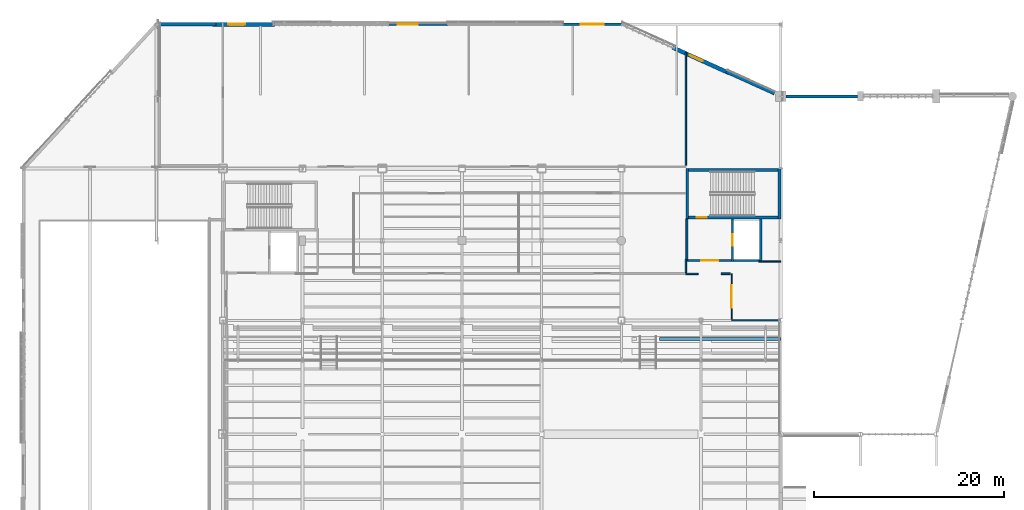
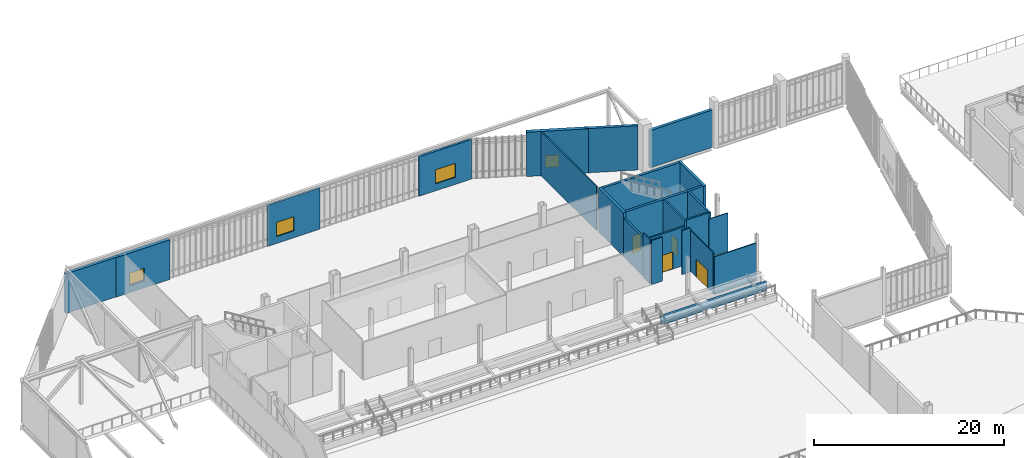
# One storey, part 112 of 135: 24 walls, 4 doors, 4 windows, 8 openings.
"""IFC4 building model written with IfcOpenShell, lengths in metres."""

from ifc_helpers import new_model, si_unit, direction, frame, frame_2d, origin, place, context, subcontext, project, spatial, rectangle, extrude, material, layer, layer_set, type_object, element, fill, save


model = new_model("IFC4")

# Units and contexts
model_context = context("Model", 3, precision=1e-05, world=origin(), true_north=direction((0.0, 1.0)))
body_context = subcontext(model_context, "Body", "Model", "MODEL_VIEW")
ifc_project = project(units=[si_unit("LENGTHUNIT", "METRE"), si_unit("AREAUNIT", "SQUARE_METRE"), si_unit("VOLUMEUNIT", "CUBIC_METRE"), si_unit("PLANEANGLEUNIT", "RADIAN"), si_unit("MASSUNIT", "GRAM", prefix="KILO")], contexts=[model_context])

# Site, building, storey
site_placement = place(None, origin())
site = spatial("IfcSite", under=ifc_project, at=site_placement, CompositionType="ELEMENT")
building_placement = place(site_placement, origin())
building = spatial("IfcBuilding", under=site, at=building_placement, Name="Larkvane Passage Sports Hall", CompositionType="ELEMENT")
storey_placement = place(building_placement, frame((0.0, 0.0, 10.800048828125)))
storey = spatial("IfcBuildingStorey", under=building, at=storey_placement, Name="L02", CompositionType="ELEMENT", Elevation=10.800048828125)

# Walls
ifc_material_1 = material(Name="Concrete C50/60", Category="concrete")
ifc_layer_1 = layer(ifc_material_1, 0.360107421875)
ifc_layer_set_1 = layer_set([ifc_layer_1], Name="Concrete C50/60")
wall_type_1 = type_object("IfcWallType", Name="WL-CORE-360", PredefinedType="SHEAR", material=ifc_layer_set_1)
for number, where, z_axis, x_axis, name in (
    (1, (83.75, 86.300048828125, 0.0), (0.0, 0.0, 1.0), (0.0, 1.0, 0.0), "Core shear wall WAL-CORE-C3-L02-W"),
    (2, (93.449951171875, 91.60009765625, 0.0), (0.0, 0.0, 1.0), (0.0, -1.0, 0.0), "Core shear wall WAL-CORE-C3-L02-E"),
):
    element("IfcWall", number, at=place(storey_placement, frame(where, z_axis=z_axis, x_axis=x_axis)), inside=storey, type_object=wall_type_1, Name=name, PredefinedType="SHEAR", context=body_context, shape_type="SweptSolid", body=[
        extrude(rectangle(XDim=5.300048828125, YDim=0.300048828125, at=frame_2d((2.64990234375, 0.0))), origin(), (0.0, 0.0, 1.0), 5.679931640625),
    ])

# Wall, opening, door
wall_1_placement = place(storey_placement, frame((93.300048828125, 86.449951171875, 0.0), z_axis=(0.0, 0.0, 1.0), x_axis=(-1.0, 0.0, 0.0)))
wall_1 = element("IfcWall", 3, at=wall_1_placement, inside=storey, type_object=wall_type_1, Name="Core shear wall WAL-CORE-C3-L02-S", PredefinedType="SHEAR", context=body_context, shape_type="SweptSolid", body=[
    extrude(rectangle(XDim=9.400146484375, YDim=0.300048828125, at=frame_2d((4.7001953125, 0.0))), origin(), (0.0, 0.0, 1.0), 5.679931640625),
])
opening_1_placement = place(wall_1_placement, frame((7.5, 0.0, 0.0)))
opening_1 = element("IfcOpeningElement", 4, at=opening_1_placement, cuts=wall_1, Name="Opening DF-01", PredefinedType="OPENING", context=body_context, shape_type="SweptSolid", body=[
    extrude(rectangle(XDim=1.050048828125, YDim=2.199951171875, at=frame_2d((0.52490234375, 1.10009765625))), frame((0.0, 0.159912109375, 0.0), z_axis=(0.0, -1.0, 0.0), x_axis=(1.0, 0.0, 0.0)), (0.0, 0.0, 1.0), 0.320068359375),
])
ifc_material_2 = material(Name="Steel S355JR smoke-sealed fire door", Category="steel")
door_type_1 = type_object("IfcDoorType", Name="DR-FIRE-1050", OperationType="NOTDEFINED", PredefinedType="DOOR", material=ifc_material_2)
door_1_placement = place(opening_1_placement, origin())
door_1 = element("IfcDoor", 5, at=door_1_placement, inside=storey, type_object=door_type_1, Name="Stair ST-03 L02 fire door", OperationType="SINGLE_SWING_LEFT", OverallHeight=2.199951171875, OverallWidth=1.050048828125, PredefinedType="DOOR", context=body_context, shape_type="SweptSolid", body=[
    extrude(rectangle(XDim=1.050048828125, YDim=2.199951171875, at=frame_2d((0.52490234375, 1.10009765625))), frame((0.0, 0.02490234375, 0.0), z_axis=(0.0, -1.0, 0.0), x_axis=(1.0, 0.0, 0.0)), (0.0, 0.0, 1.0), 0.050048828125),
])
fill(opening_1, door_1)

# Wall
ifc_layer_2 = layer(ifc_material_1, 0.360107421875)
ifc_layer_set_2 = layer_set([ifc_layer_2], Name="Concrete C50/60")
wall_type_2 = type_object("IfcWallType", Name="WL-CORE-EXT-360", PredefinedType="SHEAR", material=ifc_layer_set_2)
wall_2_placement = place(storey_placement, frame((83.89990234375, 91.449951171875, 0.0), z_axis=(0.0, 0.0, 1.0), x_axis=(1.0, 0.0, 0.0)))
element("IfcWall", 6, at=wall_2_placement, inside=storey, type_object=wall_type_2, Name="Core shear wall WAL-CORE-C3-L02-N", PredefinedType="SHEAR", context=body_context, shape_type="SweptSolid", body=[
    extrude(rectangle(XDim=9.400146484375, YDim=0.300048828125, at=frame_2d((4.7001953125, 0.0))), origin(), (0.0, 0.0, 1.0), 5.679931640625),
])

# Wall, opening, window
ifc_material_3 = material(Name="Concrete C40/50", Category="concrete")
ifc_layer_3 = layer(ifc_material_3, 0.239990234375)
ifc_layer_set_3 = layer_set([ifc_layer_3], Name="Concrete C40/50")
wall_type_3 = type_object("IfcWallType", Name="WL-EXT-240", PredefinedType="SOLIDWALL", material=ifc_layer_set_3)
wall_3_placement = place(storey_placement, frame((52.184814453125, 106.800048828125, 0.0), z_axis=(0.0, 0.0, 1.0), x_axis=(1.0, 0.0, 0.0)))
wall_3 = element("IfcWall", 7, at=wall_3_placement, inside=storey, type_object=wall_type_3, Name="Exterior wall WAL-EXT-L02-160", PredefinedType="SOLIDWALL", context=body_context, shape_type="SweptSolid", body=[
    extrude(rectangle(XDim=6.35546875, YDim=0.239990234375, at=frame_2d((3.177734375, 0.0))), origin(), (0.0, 0.0, 1.0), 5.27783203125),
])
opening_2_placement = place(wall_3_placement, frame((1.068115234375, 0.0, 0.89990234375)))
opening_2 = element("IfcOpeningElement", 8, at=opening_2_placement, cuts=wall_3, Name="Opening W-03", PredefinedType="OPENING", context=body_context, shape_type="SweptSolid", body=[
    extrude(rectangle(XDim=2.10009765625, YDim=1.800048828125, at=frame_2d((1.050048828125, 0.89990234375))), frame((0.0, 0.1298828125, 0.0), z_axis=(0.0, -1.0, 0.0), x_axis=(1.0, 0.0, 0.0)), (0.0, 0.0, 1.0), 0.260009765625),
])
ifc_material_4 = material(Name="Thermally broken aluminium and laminated low-E glass", Category="aluminium")
window_type_1 = type_object("IfcWindowType", Name="WN-FIX-2100x1800", PartitioningType="DOUBLE_PANEL_VERTICAL", PredefinedType="WINDOW", material=ifc_material_4)
window_1_placement = place(opening_2_placement, origin())
window_1 = element("IfcWindow", 9, at=window_1_placement, inside=storey, type_object=window_type_1, Name="Window L02-058", OverallHeight=1.800048828125, OverallWidth=2.10009765625, PartitioningType="DOUBLE_PANEL_VERTICAL", PredefinedType="WINDOW", context=body_context, shape_type="SweptSolid", body=[
    extrude(rectangle(XDim=2.10009765625, YDim=1.800048828125, at=frame_2d((1.050048828125, 0.89990234375))), frame((0.0, 0.030029296875, 0.0), z_axis=(0.0, -1.0, 0.0), x_axis=(1.0, 0.0, 0.0)), (0.0, 0.0, 1.0), 0.06005859375),
])
fill(opening_2, window_1)

ifc_layer_4 = layer(ifc_material_3, 0.27490234375)
ifc_layer_set_4 = layer_set([ifc_layer_4], Name="Concrete C40/50")
wall_type_4 = type_object("IfcWallType", Name="WL-EXT-275", PredefinedType="SOLIDWALL", material=ifc_layer_set_4)
wall_4_placement = place(storey_placement, frame((70.54296875, 106.800048828125, 0.0), z_axis=(0.0, 0.0, 1.0), x_axis=(1.0, 0.0, 0.0)))
wall_4 = element("IfcWall", 10, at=wall_4_placement, inside=storey, type_object=wall_type_4, Name="Exterior wall WAL-EXT-L02-161", PredefinedType="SOLIDWALL", context=body_context, shape_type="SweptSolid", body=[
    extrude(rectangle(XDim=6.388916015625, YDim=0.27490234375, at=frame_2d((3.1943359375, 0.0))), origin(), (0.0, 0.0, 1.0), 5.079833984375),
])
opening_3_placement = place(wall_4_placement, frame((1.9951171875, 0.0, 0.89990234375)))
opening_3 = element("IfcOpeningElement", 11, at=opening_3_placement, cuts=wall_4, Name="Opening W-04", PredefinedType="OPENING", context=body_context, shape_type="SweptSolid", body=[
    extrude(rectangle(XDim=2.39990234375, YDim=1.800048828125, at=frame_2d((1.199951171875, 0.89990234375))), frame((0.0, 0.1474609375, 0.0), z_axis=(0.0, -1.0, 0.0), x_axis=(1.0, 0.0, 0.0)), (0.0, 0.0, 1.0), 0.294921875),
])
window_type_2 = type_object("IfcWindowType", Name="WN-FIX-2400x1800", PartitioningType="DOUBLE_PANEL_VERTICAL", PredefinedType="WINDOW", material=ifc_material_4)
window_2_placement = place(opening_3_placement, origin())
window_2 = element("IfcWindow", 12, at=window_2_placement, inside=storey, type_object=window_type_2, Name="Window L02-059", OverallHeight=1.800048828125, OverallWidth=2.39990234375, PartitioningType="DOUBLE_PANEL_VERTICAL", PredefinedType="WINDOW", context=body_context, shape_type="SweptSolid", body=[
    extrude(rectangle(XDim=2.39990234375, YDim=1.800048828125, at=frame_2d((1.199951171875, 0.89990234375))), frame((0.0, 0.030029296875, 0.0), z_axis=(0.0, -1.0, 0.0), x_axis=(1.0, 0.0, 0.0)), (0.0, 0.0, 1.0), 0.06005859375),
])
fill(opening_3, window_2)

# Walls
ifc_material_5 = material(Name="Precast concrete C45/55", Category="concrete")
ifc_layer_5 = layer(ifc_material_5, 0.344970703125)
ifc_layer_set_5 = layer_set([ifc_layer_5], Name="Precast concrete C45/55")
wall_type_5 = type_object("IfcWallType", Name="WL-EXT-345", PredefinedType="SOLIDWALL", material=ifc_layer_set_5)
wall_5_placement = place(storey_placement, frame((87.84912109375, 101.801513671875, 0.0), z_axis=(0.0, 0.0, 1.0), x_axis=(0.91110714156, -0.412169596887, 0.0)))
element("IfcWall", 13, at=wall_5_placement, inside=storey, type_object=wall_type_5, Name="Exterior wall WAL-EXT-L02-136", PredefinedType="SOLIDWALL", context=body_context, shape_type="SweptSolid", body=[
    extrude(rectangle(XDim=5.588134765625, YDim=0.344970703125, at=frame_2d((2.7939453125, 0.0))), origin(), (0.0, 0.0, 1.0), 5.679931640625),
])
wall_6_placement = place(storey_placement, frame((94.14599609375, 99.199951171875, 0.0), z_axis=(0.0, 0.0, 1.0), x_axis=(1.0, 0.0, 0.0)))
element("IfcWall", 14, at=wall_6_placement, inside=storey, type_object=wall_type_5, Name="Exterior wall WAL-EXT-L02-137", PredefinedType="SOLIDWALL", context=body_context, shape_type="SweptSolid", body=[
    extrude(rectangle(XDim=7.55810546875, YDim=0.344970703125, at=frame_2d((3.779052734375, 0.0))), origin(), (0.0, 0.0, 1.0), 4.7978515625),
])
wall_7_placement = place(storey_placement, frame((27.634521484375, 106.800048828125, 0.0), z_axis=(0.0, 0.0, 1.0), x_axis=(1.0, 0.0, 0.0)))
element("IfcWall", 15, at=wall_7_placement, inside=storey, type_object=wall_type_5, Name="Exterior wall WAL-EXT-L02-158", PredefinedType="SOLIDWALL", context=body_context, shape_type="SweptSolid", body=[
    extrude(rectangle(XDim=6.4560546875, YDim=0.344970703125, at=frame_2d((3.22802734375, 0.0))), origin(), (0.0, 0.0, 1.0), 5.079833984375),
])

# Wall, opening, window
ifc_layer_6 = layer(ifc_material_3, 0.425048828125)
ifc_layer_set_6 = layer_set([ifc_layer_6], Name="Concrete C40/50")
wall_type_6 = type_object("IfcWallType", Name="WL-EXT-425", PredefinedType="SOLIDWALL", material=ifc_layer_set_6)
wall_8_placement = place(storey_placement, frame((82.214111328125, 104.3505859375, 0.0), z_axis=(0.0, 0.0, 1.0), x_axis=(0.911125240907, -0.412129585666, 0.0)))
wall_8 = element("IfcWall", 16, at=wall_8_placement, inside=storey, type_object=wall_type_6, Name="Exterior wall WAL-EXT-L02-135", PredefinedType="SOLIDWALL", context=body_context, shape_type="SweptSolid", body=[
    extrude(rectangle(XDim=6.55419921875, YDim=0.425048828125, at=frame_2d((3.277099609375, 0.0))), origin(), (0.0, 0.0, 1.0), 5.679931640625),
])
opening_4_placement = place(wall_8_placement, frame((1.962890625, 0.0, 0.89990234375)))
opening_4 = element("IfcOpeningElement", 17, at=opening_4_placement, cuts=wall_8, Name="Opening W-08", PredefinedType="OPENING", context=body_context, shape_type="SweptSolid", body=[
    extrude(rectangle(XDim=1.5, YDim=1.5, at=frame_2d((0.75, 0.75))), frame((0.0, 0.222412109375, 0.0), z_axis=(0.0, -1.0, 0.0), x_axis=(1.0, 0.0, 0.0)), (0.0, 0.0, 1.0), 0.445068359375),
])
window_type_3 = type_object("IfcWindowType", Name="WN-CAS-1500x1500", PartitioningType="DOUBLE_PANEL_VERTICAL", PredefinedType="WINDOW", material=ifc_material_4)
window_3_placement = place(opening_4_placement, origin())
window_3 = element("IfcWindow", 18, at=window_3_placement, inside=storey, type_object=window_type_3, Name="Window L02-044", OverallHeight=1.5, OverallWidth=1.5, PartitioningType="DOUBLE_PANEL_VERTICAL", PredefinedType="WINDOW", context=body_context, shape_type="SweptSolid", body=[
    extrude(rectangle(XDim=1.5, YDim=1.5, at=frame_2d((0.75, 0.75))), frame((0.0, 0.030029296875, 0.0), z_axis=(0.0, -1.0, 0.0), x_axis=(1.0, 0.0, 0.0)), (0.0, 0.0, 1.0), 0.06005859375),
])
fill(opening_4, window_3)

wall_9_placement = place(storey_placement, frame((33.720947265625, 106.800048828125, 0.0), z_axis=(0.0, 0.0, 1.0), x_axis=(1.0, 0.0, 0.0)))
wall_9 = element("IfcWall", 19, at=wall_9_placement, inside=storey, type_object=wall_type_6, Name="Exterior wall WAL-EXT-L02-159", PredefinedType="SOLIDWALL", context=body_context, shape_type="SweptSolid", body=[
    extrude(rectangle(XDim=6.532958984375, YDim=0.425048828125, at=frame_2d((3.2666015625, 0.0))), origin(), (0.0, 0.0, 1.0), 5.079833984375),
])
opening_5_placement = place(wall_9_placement, frame((1.62890625, 0.0, 0.89990234375)))
opening_5 = element("IfcOpeningElement", 20, at=opening_5_placement, cuts=wall_9, Name="Opening W-02", PredefinedType="OPENING", context=body_context, shape_type="SweptSolid", body=[
    extrude(rectangle(XDim=1.800048828125, YDim=1.60009765625, at=frame_2d((0.89990234375, 0.800048828125))), frame((0.0, 0.222412109375, 0.0), z_axis=(0.0, -1.0, 0.0), x_axis=(1.0, 0.0, 0.0)), (0.0, 0.0, 1.0), 0.445068359375),
])
window_type_4 = type_object("IfcWindowType", Name="WN-FIX-1800x1600", PartitioningType="SINGLE_PANEL", PredefinedType="WINDOW", material=ifc_material_4)
window_4_placement = place(opening_5_placement, origin())
window_4 = element("IfcWindow", 21, at=window_4_placement, inside=storey, type_object=window_type_4, Name="Window L02-057", OverallHeight=1.60009765625, OverallWidth=1.800048828125, PartitioningType="SINGLE_PANEL", PredefinedType="WINDOW", context=body_context, shape_type="SweptSolid", body=[
    extrude(rectangle(XDim=1.800048828125, YDim=1.60009765625, at=frame_2d((0.89990234375, 0.800048828125))), frame((0.0, 0.030029296875, 0.0), z_axis=(0.0, -1.0, 0.0), x_axis=(1.0, 0.0, 0.0)), (0.0, 0.0, 1.0), 0.06005859375),
])
fill(opening_5, window_4)

# Wall, opening, door
ifc_layer_7 = layer(ifc_material_3, 0.199951171875)
ifc_layer_set_7 = layer_set([ifc_layer_7], Name="Concrete C40/50")
wall_type_7 = type_object("IfcWallType", Name="WL-LOBBY-200", PredefinedType="SOLIDWALL", material=ifc_layer_set_7)
wall_10_placement = place(storey_placement, frame((83.800048828125, 81.89990234375, 0.0), z_axis=(0.0, 0.0, 1.0), x_axis=(1.0, 0.0, 0.0)))
wall_10 = element("IfcWall", 22, at=wall_10_placement, inside=storey, type_object=wall_type_7, Name="Protected stair lobby wall C3 L02", PredefinedType="SOLIDWALL", context=body_context, shape_type="SweptSolid", body=[
    extrude(rectangle(XDim=4.599853515625, YDim=0.199951171875, at=frame_2d((2.2998046875, 0.0))), origin(), (0.0, 0.0, 1.0), 4.9580078125),
])
opening_6_placement = place(wall_10_placement, frame((1.39990234375, 0.0, 0.0)))
opening_6 = element("IfcOpeningElement", 23, at=opening_6_placement, cuts=wall_10, Name="Opening DF-02", PredefinedType="OPENING", context=body_context, shape_type="SweptSolid", body=[
    extrude(rectangle(XDim=1.800048828125, YDim=2.199951171875, at=frame_2d((0.89990234375, 1.10009765625))), frame((0.0, 0.10986328125, 0.0), z_axis=(0.0, -1.0, 0.0), x_axis=(1.0, 0.0, 0.0)), (0.0, 0.0, 1.0), 0.219970703125),
])
ifc_material_6 = material(Name="Steel S355JR double smoke-sealed fire door", Category="steel")
door_type_2 = type_object("IfcDoorType", Name="DR-FIRE-1800", OperationType="DOUBLE_DOOR_SINGLE_SWING", PredefinedType="DOOR", material=ifc_material_6)
door_2_placement = place(opening_6_placement, origin())
door_2 = element("IfcDoor", 24, at=door_2_placement, inside=storey, type_object=door_type_2, Name="Lobby smoke door C3 L02", OperationType="DOUBLE_DOOR_SINGLE_SWING", OverallHeight=2.199951171875, OverallWidth=1.800048828125, PredefinedType="DOOR", context=body_context, shape_type="SweptSolid", body=[
    extrude(rectangle(XDim=1.800048828125, YDim=2.199951171875, at=frame_2d((0.89990234375, 1.10009765625))), frame((0.0, 0.02490234375, 0.0), z_axis=(0.0, -1.0, 0.0), x_axis=(1.0, 0.0, 0.0)), (0.0, 0.0, 1.0), 0.050048828125),
])
fill(opening_6, door_2)

# Walls
wall_11_placement = place(storey_placement, frame((83.699951171875, 81.800048828125, 0.0), z_axis=(0.0, 0.0, 1.0), x_axis=(0.0, 1.0, 0.0)))
element("IfcWall", 25, at=wall_11_placement, inside=storey, type_object=wall_type_7, Name="Lobby side wall C3 L02", PredefinedType="SOLIDWALL", context=body_context, shape_type="SweptSolid", body=[
    extrude(rectangle(XDim=4.5, YDim=0.199951171875, at=frame_2d((2.25, 0.0))), origin(), (0.0, 0.0, 1.0), 4.9580078125),
])
ifc_material_7 = material(Name="Gypsum twin-stud fire-rated partition")
ifc_layer_8 = layer(ifc_material_7, 0.125)
ifc_layer_set_8 = layer_set([ifc_layer_8], Name="Gypsum twin-stud fire-rated partition")
wall_type_8 = type_object("IfcWallType", Name="WL-PART-125", PredefinedType="PARTITIONING", material=ifc_layer_set_8)
wall_12_placement = place(storey_placement, frame((88.419921875, 75.60009765625, 0.0), z_axis=(0.0, 0.0, 1.0), x_axis=(1.0, 0.0, 0.0)))
element("IfcWall", 26, at=wall_12_placement, inside=storey, type_object=wall_type_8, Name="Interior partition WAL-PART-L02-0207", PredefinedType="PARTITIONING", context=body_context, shape_type="SweptSolid", body=[
    extrude(rectangle(XDim=5.073974609375, YDim=0.125, at=frame_2d((2.537109375, 0.0))), origin(), (0.0, 0.0, 1.0), 4.85791015625),
])

# Wall, opening, door
wall_13_placement = place(storey_placement, frame((88.419921875, 75.719970703125, 0.0), z_axis=(0.0, 0.0, 1.0), x_axis=(0.0, 1.0, 0.0)))
wall_13 = element("IfcWall", 27, at=wall_13_placement, inside=storey, type_object=wall_type_8, Name="Interior partition WAL-PART-L02-0228", PredefinedType="PARTITIONING", context=body_context, shape_type="SweptSolid", body=[
    extrude(rectangle(XDim=4.780029296875, YDim=0.125, at=frame_2d((2.39013671875, 0.0))), origin(), (0.0, 0.0, 1.0), 5.260009765625),
])
opening_7_placement = place(wall_13_placement, frame((1.18994140625, 0.0, 0.0)))
opening_7 = element("IfcOpeningElement", 28, at=opening_7_placement, cuts=wall_13, Name="Opening FD-01", PredefinedType="OPENING", context=body_context, shape_type="SweptSolid", body=[
    extrude(rectangle(XDim=2.39990234375, YDim=2.300048828125, at=frame_2d((1.199951171875, 1.14990234375))), frame((0.0, 0.072509765625, 0.0), z_axis=(0.0, -1.0, 0.0), x_axis=(1.0, 0.0, 0.0)), (0.0, 0.0, 1.0), 0.14501953125),
])
ifc_material_8 = material(Name="Bi-fold steel S355JR equipment store door", Category="steel")
door_type_3 = type_object("IfcDoorType", Name="DR-FOLD-2400", OperationType="FOLDING_TO_LEFT", PredefinedType="DOOR", material=ifc_material_8)
door_3_placement = place(opening_7_placement, origin())
door_3 = element("IfcDoor", 29, at=door_3_placement, inside=storey, type_object=door_type_3, Name="Interior door L02-0081", OperationType="FOLDING_TO_LEFT", OverallHeight=2.300048828125, OverallWidth=2.39990234375, PredefinedType="DOOR", context=body_context, shape_type="SweptSolid", body=[
    extrude(rectangle(XDim=2.39990234375, YDim=2.300048828125, at=frame_2d((1.199951171875, 1.14990234375))), frame((0.0, 0.02490234375, 0.0), z_axis=(0.0, -1.0, 0.0), x_axis=(1.0, 0.0, 0.0)), (0.0, 0.0, 1.0), 0.050048828125),
])
fill(opening_7, door_3)

# Walls
wall_14_placement = place(storey_placement, frame((91.300048828125, 81.800048828125, 0.0), z_axis=(0.0, 0.0, 1.0), x_axis=(1.0, 0.0, 0.0)))
element("IfcWall", 30, at=wall_14_placement, inside=storey, type_object=wall_type_8, Name="Interior partition WAL-PART-L02-0229", PredefinedType="PARTITIONING", context=body_context, shape_type="SweptSolid", body=[
    extrude(rectangle(XDim=2.320068359375, YDim=0.125, at=frame_2d((1.16015625, 0.0))), origin(), (0.0, 0.0, 1.0), 4.89990234375),
])
ifc_material_9 = material(Name="Gypsum acoustic partition")
ifc_layer_9 = layer(ifc_material_9, 0.14990234375)
ifc_layer_set_9 = layer_set([ifc_layer_9], Name="Gypsum acoustic partition")
wall_type_9 = type_object("IfcWallType", Name="WL-PART-150", PredefinedType="PARTITIONING", material=ifc_layer_set_9)
wall_15_placement = place(storey_placement, frame((83.60009765625, 82.06005859375, 0.0), z_axis=(0.0, 0.0, 1.0), x_axis=(0.0, -1.0, 0.0)))
element("IfcWall", 31, at=wall_15_placement, inside=storey, type_object=wall_type_9, Name="Interior partition WAL-PART-L02-0224", PredefinedType="PARTITIONING", context=body_context, shape_type="SweptSolid", body=[
    extrude(rectangle(XDim=1.420166015625, YDim=0.14990234375, at=frame_2d((0.7099609375, 0.0))), origin(), (0.0, 0.0, 1.0), 5.64990234375),
])
wall_16_placement = place(storey_placement, frame((83.60009765625, 80.5, 0.0), z_axis=(0.0, 0.0, 1.0), x_axis=(1.0, 0.0, 0.0)))
element("IfcWall", 32, at=wall_16_placement, inside=storey, type_object=wall_type_9, Name="Interior partition WAL-PART-L02-0264", PredefinedType="PARTITIONING", context=body_context, shape_type="SweptSolid", body=[
    extrude(rectangle(XDim=1.2998046875, YDim=0.14990234375, at=frame_2d((0.64990234375, 0.0))), origin(), (0.0, 0.0, 1.0), 5.64990234375),
])
wall_17_placement = place(storey_placement, frame((83.60009765625, 103.81494140625, 0.0), z_axis=(0.0, 0.0, 1.0), x_axis=(0.0, -1.0, 0.0)))
element("IfcWall", 33, at=wall_17_placement, inside=storey, type_object=wall_type_9, Name="Interior partition WAL-PART-L02-0268", PredefinedType="PARTITIONING", context=body_context, shape_type="SweptSolid", body=[
    extrude(rectangle(XDim=11.89501953125, YDim=0.14990234375, at=frame_2d((5.947509765625, 0.0))), origin(), (0.0, 0.0, 1.0), 5.64990234375),
])
ifc_material_10 = material(Name="Gypsum high-bay court partition")
ifc_layer_10 = layer(ifc_material_10, 0.179931640625)
ifc_layer_set_10 = layer_set([ifc_layer_10], Name="Gypsum high-bay court partition")
wall_type_10 = type_object("IfcWallType", Name="WL-PART-180", PredefinedType="PARTITIONING", material=ifc_layer_set_10)
wall_18_placement = place(storey_placement, frame((87.300048828125, 80.5, 0.0), z_axis=(0.0, 0.0, 1.0), x_axis=(1.0, 0.0, 0.0)))
element("IfcWall", 34, at=wall_18_placement, inside=storey, type_object=wall_type_10, Name="Interior partition WAL-PART-L02-0265", PredefinedType="PARTITIONING", context=body_context, shape_type="SweptSolid", body=[
    extrude(rectangle(XDim=1.0, YDim=0.179931640625, at=frame_2d((0.5, 0.0))), origin(), (0.0, 0.0, 1.0), 5.64990234375),
])

# Wall, opening, door
ifc_layer_11 = layer(ifc_material_3, 0.219970703125)
ifc_layer_set_11 = layer_set([ifc_layer_11], Name="Concrete C40/50")
wall_type_11 = type_object("IfcWallType", Name="WL-SHAFT-220", PredefinedType="SOLIDWALL", material=ifc_layer_set_11)
wall_19_placement = place(storey_placement, frame((88.510009765625, 81.800048828125, 0.0), z_axis=(0.0, 0.0, 1.0), x_axis=(0.0, 1.0, 0.0)))
wall_19 = element("IfcWall", 35, at=wall_19_placement, inside=storey, type_object=wall_type_11, Name="Lift shaft front wall L-04 L02", PredefinedType="SOLIDWALL", context=body_context, shape_type="SweptSolid", body=[
    extrude(rectangle(XDim=4.5, YDim=0.219970703125, at=frame_2d((2.25, 0.0))), origin(), (0.0, 0.0, 1.0), 5.679931640625),
])
opening_8_placement = place(wall_19_placement, frame((1.64990234375, 0.0, 0.0)))
opening_8 = element("IfcOpeningElement", 36, at=opening_8_placement, cuts=wall_19, Name="Opening LD-01", PredefinedType="OPENING", context=body_context, shape_type="SweptSolid", body=[
    extrude(rectangle(XDim=1.199951171875, YDim=2.199951171875, at=frame_2d((0.60009765625, 1.10009765625))), frame((0.0, 0.119873046875, 0.0), z_axis=(0.0, -1.0, 0.0), x_axis=(1.0, 0.0, 0.0)), (0.0, 0.0, 1.0), 0.239990234375),
])
ifc_material_11 = material(Name="Stainless steel S355JR lift landing door", Category="steel")
door_type_4 = type_object("IfcDoorType", Name="DR-LIFT-1200", OperationType="SLIDING_TO_LEFT", PredefinedType="DOOR", material=ifc_material_11)
door_4_placement = place(opening_8_placement, origin())
door_4 = element("IfcDoor", 37, at=door_4_placement, inside=storey, type_object=door_type_4, Name="Lift landing door L-04 L02", OperationType="SLIDING_TO_LEFT", OverallHeight=2.199951171875, OverallWidth=1.199951171875, PredefinedType="DOOR", context=body_context, shape_type="SweptSolid", body=[
    extrude(rectangle(XDim=1.199951171875, YDim=2.199951171875, at=frame_2d((0.60009765625, 1.10009765625))), frame((0.0, 0.02490234375, 0.0), z_axis=(0.0, -1.0, 0.0), x_axis=(1.0, 0.0, 0.0)), (0.0, 0.0, 1.0), 0.050048828125),
])
fill(opening_8, door_4)

# Walls
wall_20_placement = place(storey_placement, frame((91.489990234375, 81.800048828125, 0.0), z_axis=(0.0, 0.0, 1.0), x_axis=(0.0, 1.0, 0.0)))
element("IfcWall", 38, at=wall_20_placement, inside=storey, type_object=wall_type_11, Name="Lift shaft rear wall L-04 L02", PredefinedType="SOLIDWALL", context=body_context, shape_type="SweptSolid", body=[
    extrude(rectangle(XDim=4.5, YDim=0.219970703125, at=frame_2d((2.25, 0.0))), origin(), (0.0, 0.0, 1.0), 5.679931640625),
])
wall_21_placement = place(storey_placement, frame((88.6201171875, 81.909912109375, 0.0), z_axis=(0.0, 0.0, 1.0), x_axis=(1.0, 0.0, 0.0)))
element("IfcWall", 39, at=wall_21_placement, inside=storey, type_object=wall_type_11, Name="Lift shaft end wall L-04 L02", PredefinedType="SOLIDWALL", context=body_context, shape_type="SweptSolid", body=[
    extrude(rectangle(XDim=2.759765625, YDim=0.219970703125, at=frame_2d((1.3798828125, 0.0))), origin(), (0.0, 0.0, 1.0), 5.679931640625),
])
ifc_layer_12 = layer(ifc_material_3, 0.320068359375)
ifc_layer_set_12 = layer_set([ifc_layer_12], Name="Concrete C40/50")
wall_type_12 = type_object("IfcWallType", Name="WL-STAND-320", PredefinedType="SOLIDWALL", material=ifc_layer_set_12)
wall_22_placement = place(storey_placement, frame((80.800048828125, 73.64990234375, 0.0), z_axis=(0.0, 0.0, 1.0), x_axis=(1.0, 0.0, 0.0)))
element("IfcWall", 40, at=wall_22_placement, inside=storey, type_object=wall_type_12, Name="Arena stand middle riser wall N-E2", PredefinedType="SOLIDWALL", context=body_context, shape_type="SweptSolid", body=[
    extrude(rectangle(XDim=12.800048828125, YDim=0.320068359375, at=frame_2d((6.39990234375, 0.0))), origin(), (0.0, 0.0, 1.0), 1.06494140625),
])

save(model, "model.ifc")
